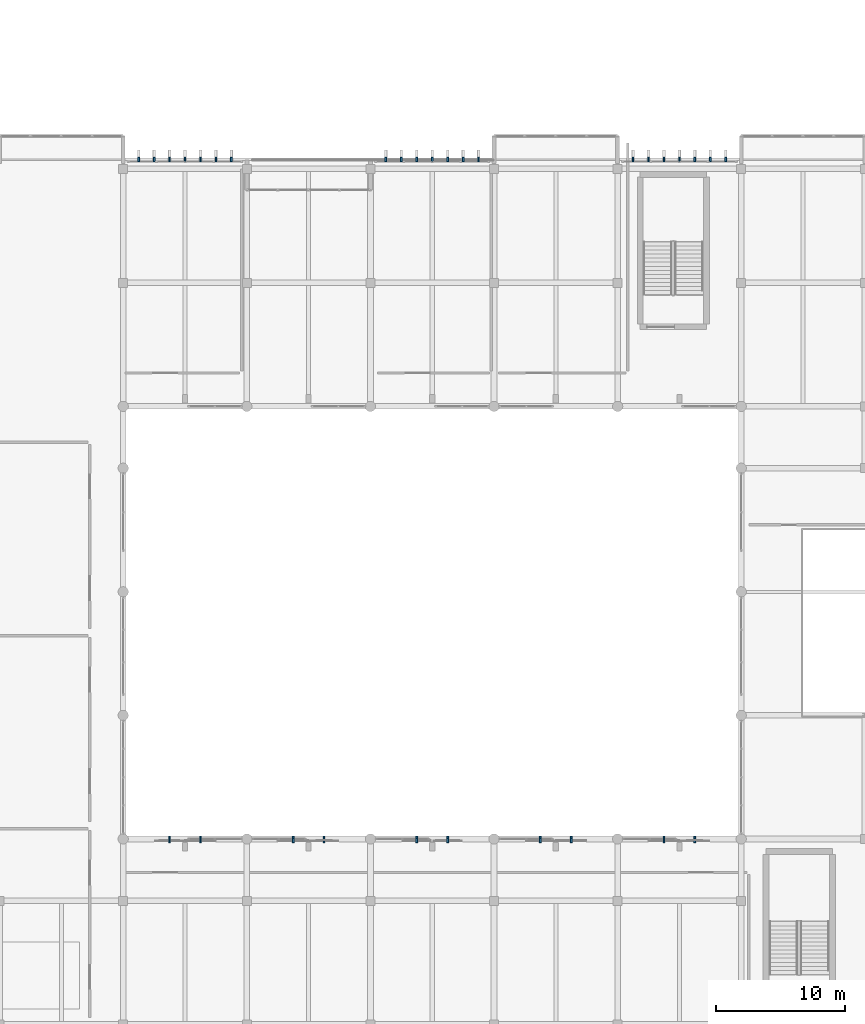
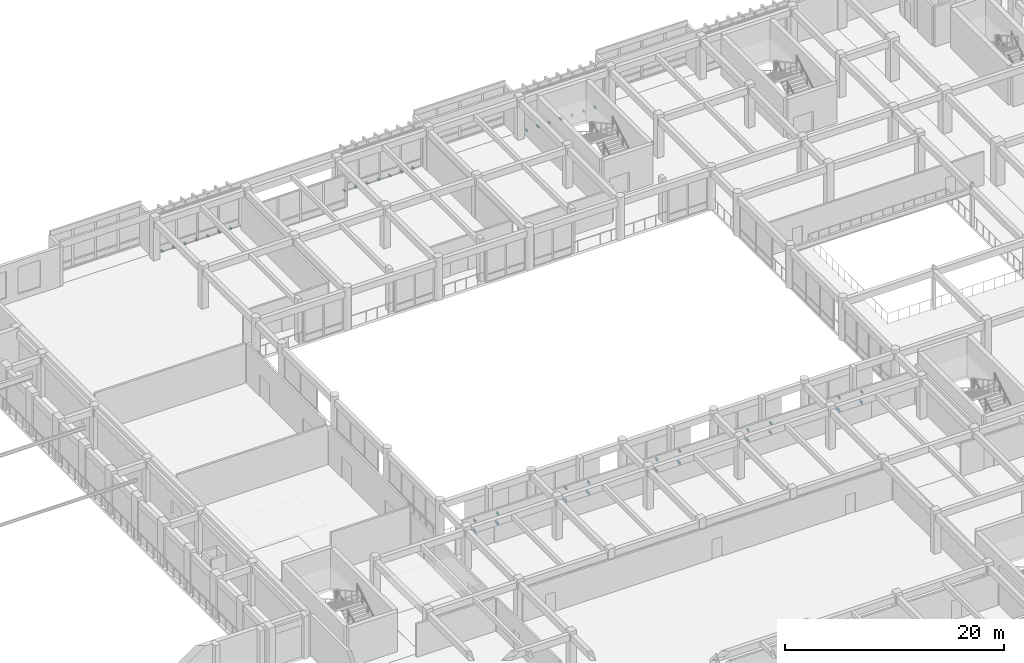
# One storey, part 112 of 133: 41 discrete accessories.
"""IFC4 building model written with IfcOpenShell, lengths in metres."""

from ifc_helpers import new_model, si_unit, direction, frame, origin, origin_2d, place, context, subcontext, project, spatial, rectangle, extrude, material, type_object, element, save


model = new_model("IFC4")

# Units and contexts
model_context = context("Model", 3, precision=1e-05, world=origin(), true_north=direction((0.0, 1.0)))
body_context = subcontext(model_context, "Body", "Model", "MODEL_VIEW")
ifc_project = project(units=[si_unit("LENGTHUNIT", "METRE"), si_unit("AREAUNIT", "SQUARE_METRE"), si_unit("VOLUMEUNIT", "CUBIC_METRE"), si_unit("PLANEANGLEUNIT", "RADIAN"), si_unit("MASSUNIT", "GRAM", prefix="KILO")], contexts=[model_context])

# Site, building, storey
site_placement = place(None, origin())
site = spatial("IfcSite", under=ifc_project, at=site_placement, CompositionType="ELEMENT")
building_placement = place(site_placement, origin())
building = spatial("IfcBuilding", under=site, at=building_placement, Name="Nakhvara Creek Congress Hotel", CompositionType="ELEMENT")
storey_placement = place(building_placement, frame((0.0, 0.0, 11.39990234375)))
storey = spatial("IfcBuildingStorey", under=building, at=storey_placement, Name="L02", CompositionType="ELEMENT", Elevation=11.39990234375)

# Discrete accessories
ifc_material = material(Name="Brushed stainless steel 316L", Category="steel")
discrete_accessory_type = type_object("IfcDiscreteAccessoryType", Name="ACC-BRK-SS316", PredefinedType="BRACKET", material=ifc_material)
for number, where, z_axis, x_axis, name in (
    (1, (78.0, 95.97998046875, -0.10986328125), (0.0, 0.0, 1.0), (1.0, 0.0, 0.0), "Stainless Fin Bracket BK01-0264"),
    (2, (79.199951171875, 95.97998046875, -0.10986328125), (0.0, 0.0, 1.0), (1.0, 0.0, 0.0), "Stainless Fin Bracket BK01-0265"),
    (3, (80.39990234375, 95.97998046875, -0.10986328125), (0.0, 0.0, 1.0), (1.0, 0.0, 0.0), "Stainless Fin Bracket BK01-0266"),
    (4, (81.60009765625, 95.97998046875, -0.10986328125), (0.0, 0.0, 1.0), (1.0, 0.0, 0.0), "Stainless Fin Bracket BK01-0267"),
    (5, (82.800048828125, 95.97998046875, -0.10986328125), (0.0, 0.0, 1.0), (1.0, 0.0, 0.0), "Stainless Fin Bracket BK01-0268"),
    (6, (84.0, 95.97998046875, -0.10986328125), (0.0, 0.0, 1.0), (1.0, 0.0, 0.0), "Stainless Fin Bracket BK01-0269"),
    (7, (85.199951171875, 95.97998046875, -0.10986328125), (0.0, 0.0, 1.0), (1.0, 0.0, 0.0), "Stainless Fin Bracket BK01-0270"),
    (8, (97.199951171875, 95.97998046875, -0.10986328125), (0.0, 0.0, 1.0), (1.0, 0.0, 0.0), "Stainless Fin Bracket BK01-0271"),
    (9, (98.39990234375, 95.97998046875, -0.10986328125), (0.0, 0.0, 1.0), (1.0, 0.0, 0.0), "Stainless Fin Bracket BK01-0272"),
    (10, (99.60009765625, 95.97998046875, -0.10986328125), (0.0, 0.0, 1.0), (1.0, 0.0, 0.0), "Stainless Fin Bracket BK01-0273"),
    (11, (100.800048828125, 95.97998046875, -0.10986328125), (0.0, 0.0, 1.0), (1.0, 0.0, 0.0), "Stainless Fin Bracket BK01-0274"),
    (12, (102.0, 95.97998046875, -0.10986328125), (0.0, 0.0, 1.0), (1.0, 0.0, 0.0), "Stainless Fin Bracket BK01-0275"),
    (13, (103.199951171875, 95.97998046875, -0.10986328125), (0.0, 0.0, 1.0), (1.0, 0.0, 0.0), "Stainless Fin Bracket BK01-0276"),
    (14, (104.39990234375, 95.97998046875, -0.10986328125), (0.0, 0.0, 1.0), (1.0, 0.0, 0.0), "Stainless Fin Bracket BK01-0277"),
    (15, (116.39990234375, 95.97998046875, -0.10986328125), (0.0, 0.0, 1.0), (1.0, 0.0, 0.0), "Stainless Fin Bracket BK01-0278"),
    (16, (117.60009765625, 95.97998046875, -0.10986328125), (0.0, 0.0, 1.0), (1.0, 0.0, 0.0), "Stainless Fin Bracket BK01-0279"),
    (17, (118.800048828125, 95.97998046875, -0.10986328125), (0.0, 0.0, 1.0), (1.0, 0.0, 0.0), "Stainless Fin Bracket BK01-0280"),
    (18, (120.0, 95.97998046875, -0.10986328125), (0.0, 0.0, 1.0), (1.0, 0.0, 0.0), "Stainless Fin Bracket BK01-0281"),
    (19, (121.199951171875, 95.97998046875, -0.10986328125), (0.0, 0.0, 1.0), (1.0, 0.0, 0.0), "Stainless Fin Bracket BK01-0282"),
    (20, (122.39990234375, 95.97998046875, -0.10986328125), (0.0, 0.0, 1.0), (1.0, 0.0, 0.0), "Stainless Fin Bracket BK01-0283"),
    (21, (123.60009765625, 95.97998046875, -0.10986328125), (0.0, 0.0, 1.0), (1.0, 0.0, 0.0), "Stainless Fin Bracket BK01-0284"),
):
    element("IfcDiscreteAccessory", number, at=place(storey_placement, frame(where, z_axis=z_axis, x_axis=x_axis)), inside=storey, type_object=discrete_accessory_type, Name=name, PredefinedType="BRACKET", context=body_context, shape_type="SweptSolid", body=[
        extrude(rectangle(XDim=0.139892578125, YDim=0.360107421875, at=origin_2d()), origin(), (0.0, 0.0, 1.0), 0.179931640625),
    ])
discrete_accessory_1_placement = place(storey_placement, frame((80.39990234375, 43.179931640625, -0.10986328125), z_axis=(0.0, 0.0, 1.0), x_axis=(1.0, 0.0, 0.0)))
element("IfcDiscreteAccessory", 22, at=discrete_accessory_1_placement, inside=storey, type_object=discrete_accessory_type, Name="Mashrabiya Spandrel Bracket 011A", PredefinedType="BRACKET", context=body_context, shape_type="SweptSolid", body=[
    extrude(rectangle(XDim=0.139892578125, YDim=0.43994140625, at=origin_2d()), origin(), (0.0, 0.0, 1.0), 0.239990234375),
])
discrete_accessory_2_placement = place(storey_placement, frame((80.39990234375, 43.080078125, 1.0400390625), z_axis=(0.0, 0.0, 1.0), x_axis=(1.0, 0.0, 0.0)))
element("IfcDiscreteAccessory", 23, at=discrete_accessory_2_placement, inside=storey, type_object=discrete_accessory_type, Name="Mashrabiya Screen Coupling Bracket 011B", PredefinedType="BRACKET", context=body_context, shape_type="SweptSolid", body=[
    extrude(rectangle(XDim=0.139892578125, YDim=0.360107421875, at=origin_2d()), origin(), (0.0, 0.0, 1.0), 0.239990234375),
])
discrete_accessory_3_placement = place(storey_placement, frame((82.800048828125, 43.179931640625, -0.10986328125), z_axis=(0.0, 0.0, 1.0), x_axis=(1.0, 0.0, 0.0)))
element("IfcDiscreteAccessory", 24, at=discrete_accessory_3_placement, inside=storey, type_object=discrete_accessory_type, Name="Mashrabiya Spandrel Bracket 012A", PredefinedType="BRACKET", context=body_context, shape_type="SweptSolid", body=[
    extrude(rectangle(XDim=0.139892578125, YDim=0.43994140625, at=origin_2d()), origin(), (0.0, 0.0, 1.0), 0.239990234375),
])
discrete_accessory_4_placement = place(storey_placement, frame((82.800048828125, 43.080078125, 0.990234375), z_axis=(0.0, 0.0, 1.0), x_axis=(1.0, 0.0, 0.0)))
element("IfcDiscreteAccessory", 25, at=discrete_accessory_4_placement, inside=storey, type_object=discrete_accessory_type, Name="Mashrabiya Screen Coupling Bracket 012B", PredefinedType="BRACKET", context=body_context, shape_type="SweptSolid", body=[
    extrude(rectangle(XDim=0.139892578125, YDim=0.360107421875, at=origin_2d()), origin(), (0.0, 0.0, 1.0), 0.239990234375),
])
discrete_accessory_5_placement = place(storey_placement, frame((90.0, 43.179931640625, -0.10986328125), z_axis=(0.0, 0.0, 1.0), x_axis=(1.0, 0.0, 0.0)))
element("IfcDiscreteAccessory", 26, at=discrete_accessory_5_placement, inside=storey, type_object=discrete_accessory_type, Name="Mashrabiya Spandrel Bracket 013A", PredefinedType="BRACKET", context=body_context, shape_type="SweptSolid", body=[
    extrude(rectangle(XDim=0.139892578125, YDim=0.43994140625, at=origin_2d()), origin(), (0.0, 0.0, 1.0), 0.239990234375),
])
discrete_accessory_6_placement = place(storey_placement, frame((90.0, 43.080078125, 1.2900390625), z_axis=(0.0, 0.0, 1.0), x_axis=(1.0, 0.0, 0.0)))
element("IfcDiscreteAccessory", 27, at=discrete_accessory_6_placement, inside=storey, type_object=discrete_accessory_type, Name="Mashrabiya Screen Coupling Bracket 013B", PredefinedType="BRACKET", context=body_context, shape_type="SweptSolid", body=[
    extrude(rectangle(XDim=0.139892578125, YDim=0.360107421875, at=origin_2d()), origin(), (0.0, 0.0, 1.0), 0.239990234375),
])
discrete_accessory_7_placement = place(storey_placement, frame((92.39990234375, 43.179931640625, -0.10986328125), z_axis=(0.0, 0.0, 1.0), x_axis=(1.0, 0.0, 0.0)))
element("IfcDiscreteAccessory", 28, at=discrete_accessory_7_placement, inside=storey, type_object=discrete_accessory_type, Name="Mashrabiya Spandrel Bracket 014A", PredefinedType="BRACKET", context=body_context, shape_type="SweptSolid", body=[
    extrude(rectangle(XDim=0.139892578125, YDim=0.43994140625, at=origin_2d()), origin(), (0.0, 0.0, 1.0), 0.239990234375),
])
discrete_accessory_8_placement = place(storey_placement, frame((92.39990234375, 43.080078125, 1.09033203125), z_axis=(0.0, 0.0, 1.0), x_axis=(1.0, 0.0, 0.0)))
element("IfcDiscreteAccessory", 29, at=discrete_accessory_8_placement, inside=storey, type_object=discrete_accessory_type, Name="Mashrabiya Screen Coupling Bracket 014B", PredefinedType="BRACKET", context=body_context, shape_type="SweptSolid", body=[
    extrude(rectangle(XDim=0.139892578125, YDim=0.360107421875, at=origin_2d()), origin(), (0.0, 0.0, 1.0), 0.239990234375),
])
discrete_accessory_9_placement = place(storey_placement, frame((99.60009765625, 43.179931640625, -0.10986328125), z_axis=(0.0, 0.0, 1.0), x_axis=(1.0, 0.0, 0.0)))
element("IfcDiscreteAccessory", 30, at=discrete_accessory_9_placement, inside=storey, type_object=discrete_accessory_type, Name="Mashrabiya Spandrel Bracket 015A", PredefinedType="BRACKET", context=body_context, shape_type="SweptSolid", body=[
    extrude(rectangle(XDim=0.139892578125, YDim=0.43994140625, at=origin_2d()), origin(), (0.0, 0.0, 1.0), 0.239990234375),
])
discrete_accessory_10_placement = place(storey_placement, frame((99.60009765625, 43.080078125, 1.14013671875), z_axis=(0.0, 0.0, 1.0), x_axis=(1.0, 0.0, 0.0)))
element("IfcDiscreteAccessory", 31, at=discrete_accessory_10_placement, inside=storey, type_object=discrete_accessory_type, Name="Mashrabiya Screen Coupling Bracket 015B", PredefinedType="BRACKET", context=body_context, shape_type="SweptSolid", body=[
    extrude(rectangle(XDim=0.139892578125, YDim=0.360107421875, at=origin_2d()), origin(), (0.0, 0.0, 1.0), 0.239990234375),
])
discrete_accessory_11_placement = place(storey_placement, frame((102.0, 43.179931640625, -0.10986328125), z_axis=(0.0, 0.0, 1.0), x_axis=(1.0, 0.0, 0.0)))
element("IfcDiscreteAccessory", 32, at=discrete_accessory_11_placement, inside=storey, type_object=discrete_accessory_type, Name="Mashrabiya Spandrel Bracket 016A", PredefinedType="BRACKET", context=body_context, shape_type="SweptSolid", body=[
    extrude(rectangle(XDim=0.139892578125, YDim=0.43994140625, at=origin_2d()), origin(), (0.0, 0.0, 1.0), 0.239990234375),
])
discrete_accessory_12_placement = place(storey_placement, frame((102.0, 43.080078125, 1.240234375), z_axis=(0.0, 0.0, 1.0), x_axis=(1.0, 0.0, 0.0)))
element("IfcDiscreteAccessory", 33, at=discrete_accessory_12_placement, inside=storey, type_object=discrete_accessory_type, Name="Mashrabiya Screen Coupling Bracket 016B", PredefinedType="BRACKET", context=body_context, shape_type="SweptSolid", body=[
    extrude(rectangle(XDim=0.139892578125, YDim=0.360107421875, at=origin_2d()), origin(), (0.0, 0.0, 1.0), 0.239990234375),
])
discrete_accessory_13_placement = place(storey_placement, frame((109.199951171875, 43.179931640625, -0.10986328125), z_axis=(0.0, 0.0, 1.0), x_axis=(1.0, 0.0, 0.0)))
element("IfcDiscreteAccessory", 34, at=discrete_accessory_13_placement, inside=storey, type_object=discrete_accessory_type, Name="Mashrabiya Spandrel Bracket 017A", PredefinedType="BRACKET", context=body_context, shape_type="SweptSolid", body=[
    extrude(rectangle(XDim=0.139892578125, YDim=0.43994140625, at=origin_2d()), origin(), (0.0, 0.0, 1.0), 0.239990234375),
])
discrete_accessory_14_placement = place(storey_placement, frame((109.199951171875, 43.080078125, 1.0400390625), z_axis=(0.0, 0.0, 1.0), x_axis=(1.0, 0.0, 0.0)))
element("IfcDiscreteAccessory", 35, at=discrete_accessory_14_placement, inside=storey, type_object=discrete_accessory_type, Name="Mashrabiya Screen Coupling Bracket 017B", PredefinedType="BRACKET", context=body_context, shape_type="SweptSolid", body=[
    extrude(rectangle(XDim=0.139892578125, YDim=0.360107421875, at=origin_2d()), origin(), (0.0, 0.0, 1.0), 0.239990234375),
])
discrete_accessory_15_placement = place(storey_placement, frame((111.60009765625, 43.179931640625, -0.10986328125), z_axis=(0.0, 0.0, 1.0), x_axis=(1.0, 0.0, 0.0)))
element("IfcDiscreteAccessory", 36, at=discrete_accessory_15_placement, inside=storey, type_object=discrete_accessory_type, Name="Mashrabiya Spandrel Bracket 018A", PredefinedType="BRACKET", context=body_context, shape_type="SweptSolid", body=[
    extrude(rectangle(XDim=0.139892578125, YDim=0.43994140625, at=origin_2d()), origin(), (0.0, 0.0, 1.0), 0.239990234375),
])
discrete_accessory_16_placement = place(storey_placement, frame((111.60009765625, 43.080078125, 0.990234375), z_axis=(0.0, 0.0, 1.0), x_axis=(1.0, 0.0, 0.0)))
element("IfcDiscreteAccessory", 37, at=discrete_accessory_16_placement, inside=storey, type_object=discrete_accessory_type, Name="Mashrabiya Screen Coupling Bracket 018B", PredefinedType="BRACKET", context=body_context, shape_type="SweptSolid", body=[
    extrude(rectangle(XDim=0.139892578125, YDim=0.360107421875, at=origin_2d()), origin(), (0.0, 0.0, 1.0), 0.239990234375),
])
discrete_accessory_17_placement = place(storey_placement, frame((118.800048828125, 43.179931640625, -0.10986328125), z_axis=(0.0, 0.0, 1.0), x_axis=(1.0, 0.0, 0.0)))
element("IfcDiscreteAccessory", 38, at=discrete_accessory_17_placement, inside=storey, type_object=discrete_accessory_type, Name="Mashrabiya Spandrel Bracket 019A", PredefinedType="BRACKET", context=body_context, shape_type="SweptSolid", body=[
    extrude(rectangle(XDim=0.139892578125, YDim=0.43994140625, at=origin_2d()), origin(), (0.0, 0.0, 1.0), 0.239990234375),
])
discrete_accessory_18_placement = place(storey_placement, frame((118.800048828125, 43.080078125, 1.2900390625), z_axis=(0.0, 0.0, 1.0), x_axis=(1.0, 0.0, 0.0)))
element("IfcDiscreteAccessory", 39, at=discrete_accessory_18_placement, inside=storey, type_object=discrete_accessory_type, Name="Mashrabiya Screen Coupling Bracket 019B", PredefinedType="BRACKET", context=body_context, shape_type="SweptSolid", body=[
    extrude(rectangle(XDim=0.139892578125, YDim=0.360107421875, at=origin_2d()), origin(), (0.0, 0.0, 1.0), 0.239990234375),
])
discrete_accessory_19_placement = place(storey_placement, frame((121.199951171875, 43.179931640625, -0.10986328125), z_axis=(0.0, 0.0, 1.0), x_axis=(1.0, 0.0, 0.0)))
element("IfcDiscreteAccessory", 40, at=discrete_accessory_19_placement, inside=storey, type_object=discrete_accessory_type, Name="Mashrabiya Spandrel Bracket 020A", PredefinedType="BRACKET", context=body_context, shape_type="SweptSolid", body=[
    extrude(rectangle(XDim=0.139892578125, YDim=0.43994140625, at=origin_2d()), origin(), (0.0, 0.0, 1.0), 0.239990234375),
])
discrete_accessory_20_placement = place(storey_placement, frame((121.199951171875, 43.080078125, 1.09033203125), z_axis=(0.0, 0.0, 1.0), x_axis=(1.0, 0.0, 0.0)))
element("IfcDiscreteAccessory", 41, at=discrete_accessory_20_placement, inside=storey, type_object=discrete_accessory_type, Name="Mashrabiya Screen Coupling Bracket 020B", PredefinedType="BRACKET", context=body_context, shape_type="SweptSolid", body=[
    extrude(rectangle(XDim=0.139892578125, YDim=0.360107421875, at=origin_2d()), origin(), (0.0, 0.0, 1.0), 0.239990234375),
])

save(model, "model.ifc")
